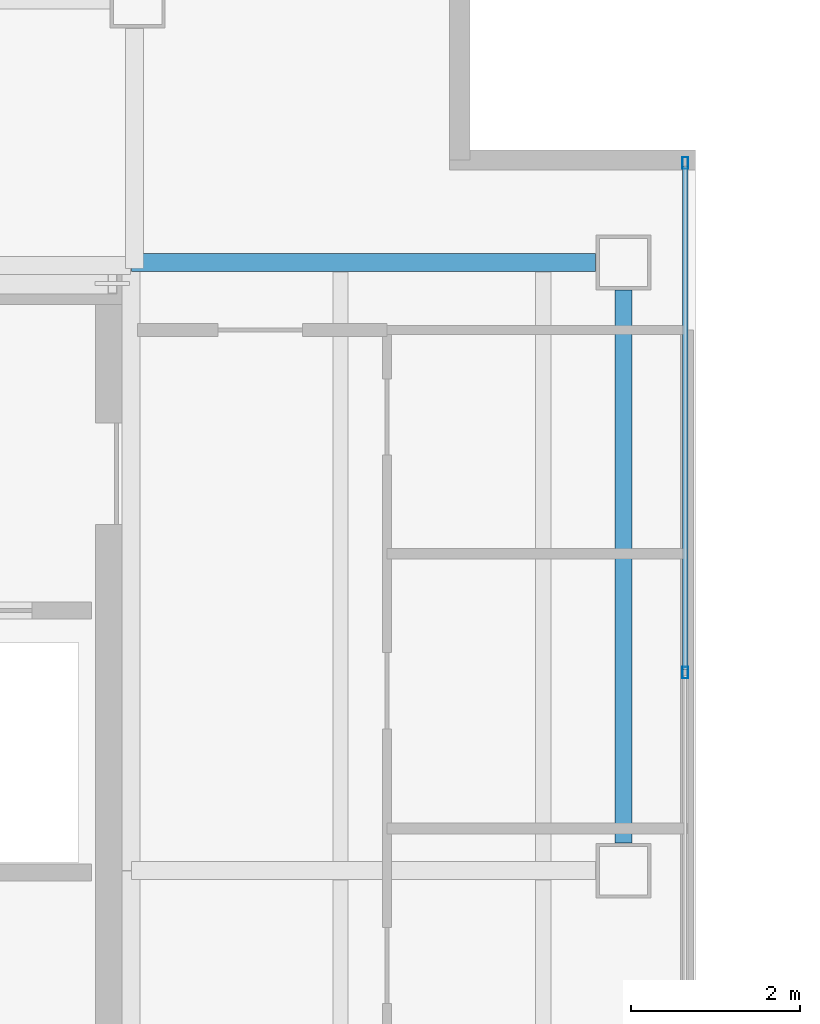
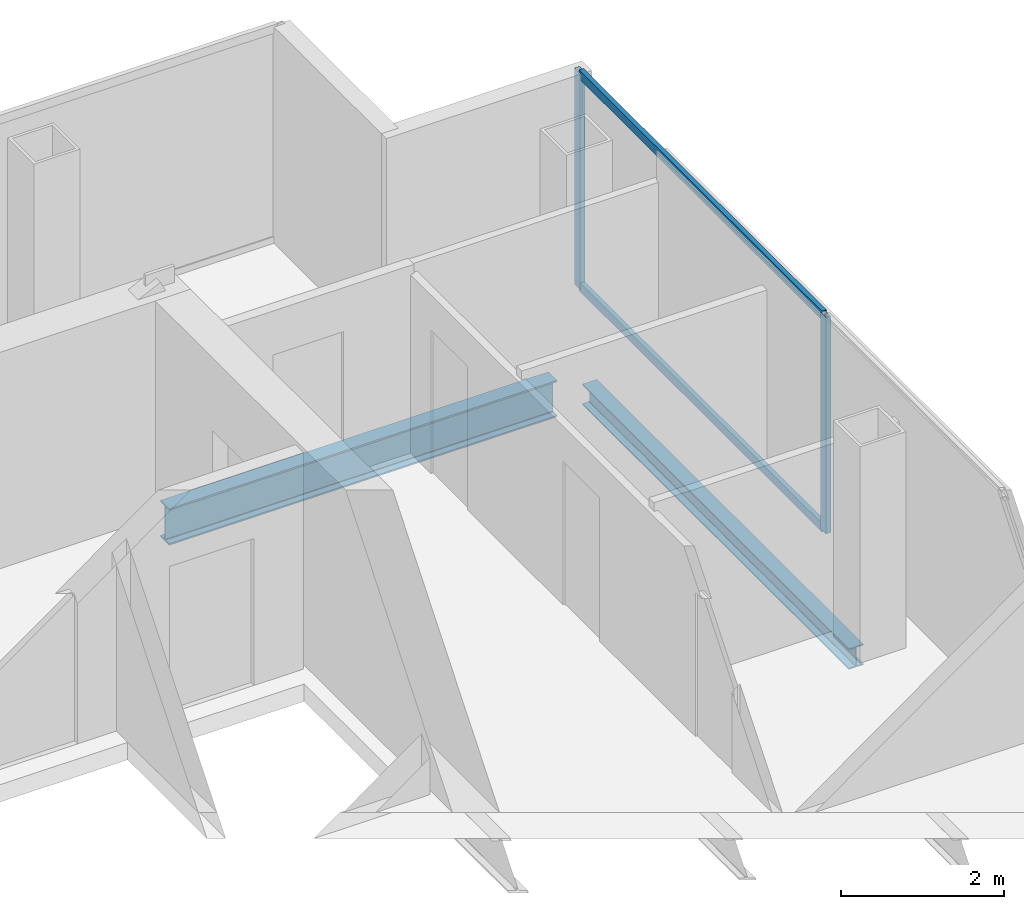
# One storey, part 11 of 23: 4 members, 2 beams, 1 element without a shape of its own.
"""IFC4 building model written with IfcOpenShell, lengths in metres."""

from ifc_helpers import new_model, si_unit, direction, frame, origin, origin_2d, place, context, subcontext, project, spatial, hollow_rectangle, i_section, extrude, material, material_profile, profile_set, type_object, element, aggregate, save


model = new_model("IFC4")

# Units and contexts
model_context = context("Model", 3, precision=1e-05, world=origin(), true_north=direction((0.0, 1.0)))
body_context = subcontext(model_context, "Body", "Model", "MODEL_VIEW")
ifc_project = project(units=[si_unit("LENGTHUNIT", "METRE"), si_unit("AREAUNIT", "SQUARE_METRE"), si_unit("VOLUMEUNIT", "CUBIC_METRE"), si_unit("PLANEANGLEUNIT", "RADIAN"), si_unit("MASSUNIT", "GRAM", prefix="KILO")], contexts=[model_context])

# Site, building, storey
site_placement = place(None, origin())
site = spatial("IfcSite", under=ifc_project, at=site_placement, CompositionType="ELEMENT")
building_placement = place(site_placement, origin())
building = spatial("IfcBuilding", under=site, at=building_placement, Name="Cobrela Telecom Tower", CompositionType="ELEMENT")
storey_placement = place(building_placement, frame((0.0, 0.0, 279.64990234375)))
storey = spatial("IfcBuildingStorey", under=building, at=storey_placement, Name="L73", CompositionType="ELEMENT", Elevation=279.64990234375)

# Beams
ifc_material_1 = material(Name="Steel ASTM A992 Grade 50", Category="steel")
ifc_material_profile_1 = material_profile(ifc_material_1, i_section(OverallWidth=0.212890625, OverallDepth=0.549072265625, WebThickness=0.0146484375, FlangeThickness=0.023681640625, FilletRadius=0.013916015625, at=origin_2d()), Name="W21X93")
ifc_profile_set_1 = profile_set([ifc_material_profile_1], Name="Steel ASTM A992 Grade 50")
beam_type_1 = type_object("IfcBeamType", Name="BM-GIRD-08", PredefinedType="USERDEFINED", material=ifc_profile_set_1)
beam_1_placement = place(storey_placement, frame((14.324951171875, 36.0, -0.534423828125), z_axis=(1.0, 0.0, 0.0), x_axis=(0.0, 1.0, 0.0)))
element("IfcBeam", 1, at=beam_1_placement, inside=storey, type_object=beam_type_1, Name="L73 Primary Girder X18", ObjectType="GIRDER", PredefinedType="USERDEFINED", context=body_context, shape_type="SweptSolid", body=[
    extrude(i_section(OverallWidth=0.212890625, OverallDepth=0.549072265625, WebThickness=0.0146484375, FlangeThickness=0.023681640625, FilletRadius=0.013916015625, at=origin_2d()), origin(), (0.0, 0.0, 1.0), 5.4951171875),
])
ifc_material_profile_2 = material_profile(ifc_material_1, i_section(OverallWidth=0.205078125, OverallDepth=0.31005859375, WebThickness=0.009521484375, FlangeThickness=0.016357421875, FilletRadius=0.010986328125, at=origin_2d()), Name="W12X50")
ifc_profile_set_2 = profile_set([ifc_material_profile_2], Name="Steel ASTM A992 Grade 50")
beam_type_2 = type_object("IfcBeamType", Name="BM-SPAND-07", PredefinedType="SPANDREL", material=ifc_profile_set_2)
beam_2_placement = place(storey_placement, frame((20.14990234375, 29.1298828125, -0.414794921875), z_axis=(0.0, 1.0, 0.0), x_axis=(-1.0, 0.0, 0.0)))
element("IfcBeam", 2, at=beam_2_placement, inside=storey, type_object=beam_type_2, Name="L73 Perimeter Spandrel Y26", PredefinedType="SPANDREL", context=body_context, shape_type="SweptSolid", body=[
    extrude(i_section(OverallWidth=0.205078125, OverallDepth=0.31005859375, WebThickness=0.009521484375, FlangeThickness=0.016357421875, FilletRadius=0.010986328125, at=origin_2d()), origin(), (0.0, 0.0, 1.0), 6.5400390625),
])

# Curtain wall, members
ifc_material_2 = material(Name="Anodized Bronze Aluminium 6063-T6", Category="aluminium")
curtain_wall_type = type_object("IfcCurtainWallType", Name="CW-SYS-OFF-HI", PredefinedType="USERDEFINED", material=ifc_material_2)
curtain_wall_placement = place(storey_placement, origin())
curtain_wall = element("IfcCurtainWall", 3, at=curtain_wall_placement, inside=storey, type_object=curtain_wall_type, Name="L73 Unitised Bronze Curtain Wall 08", ObjectType="UNITISED CURTAIN WALL", PredefinedType="USERDEFINED")
ifc_material_profile_3 = material_profile(ifc_material_2, hollow_rectangle(XDim=0.070068359375, YDim=0.139892578125, WallThickness=0.00390625, at=origin_2d()), Name="ALU 70x140x4")
ifc_profile_set_3 = profile_set([ifc_material_profile_3], Name="Anodized Bronze Aluminium 6063-T6")
member_type_1 = type_object("IfcMemberType", Name="CW-SYS-OFF-HI-MUL", PredefinedType="MULLION", material=ifc_profile_set_3)
member_1_placement = place(storey_placement, frame((20.8798828125, 37.175048828125, 0.0), z_axis=(0.0, 0.0, 1.0), x_axis=(1.0, 0.0, 0.0)))
member_1 = element("IfcMember", 4, at=member_1_placement, type_object=member_type_1, Name="CW-OFF-HI mullion 1", PredefinedType="MULLION", context=body_context, shape_type="SweptSolid", body=[
    extrude(hollow_rectangle(XDim=0.070068359375, YDim=0.139892578125, WallThickness=0.00390625, at=origin_2d()), origin(), (0.0, 0.0, 1.0), 3.239990234375),
])
member_2_placement = place(storey_placement, frame((20.8798828125, 31.14501953125, 0.0), z_axis=(0.0, 0.0, 1.0), x_axis=(1.0, 0.0, 0.0)))
member_2 = element("IfcMember", 5, at=member_2_placement, type_object=member_type_1, Name="CW-OFF-HI mullion 2", PredefinedType="MULLION", context=body_context, shape_type="SweptSolid", body=[
    extrude(hollow_rectangle(XDim=0.070068359375, YDim=0.139892578125, WallThickness=0.00390625, at=origin_2d()), origin(), (0.0, 0.0, 1.0), 3.239990234375),
])
ifc_material_profile_4 = material_profile(ifc_material_2, hollow_rectangle(XDim=0.06494140625, YDim=0.1298828125, WallThickness=0.00390625, at=origin_2d()), Name="ALU 65x130x4")
ifc_profile_set_4 = profile_set([ifc_material_profile_4], Name="Anodized Bronze Aluminium 6063-T6")
member_type_2 = type_object("IfcMemberType", Name="CW-SYS-OFF-HI-TRN", PredefinedType="USERDEFINED", material=ifc_profile_set_4)
member_3_placement = place(storey_placement, frame((20.8798828125, 37.139892578125, 0.03271484375), z_axis=(0.0, -1.0, 0.0), x_axis=(1.0, 0.0, 0.0)))
member_3 = element("IfcMember", 6, at=member_3_placement, type_object=member_type_2, Name="CW-OFF-HI transom 1.1", ObjectType="TRANSOM", PredefinedType="USERDEFINED", context=body_context, shape_type="SweptSolid", body=[
    extrude(hollow_rectangle(XDim=0.06494140625, YDim=0.1298828125, WallThickness=0.00390625, at=origin_2d()), origin(), (0.0, 0.0, 1.0), 5.9599609375),
])
member_4_placement = place(storey_placement, frame((20.8798828125, 37.139892578125, 3.20751953125), z_axis=(0.0, -1.0, 0.0), x_axis=(1.0, 0.0, 0.0)))
member_4 = element("IfcMember", 7, at=member_4_placement, type_object=member_type_2, Name="CW-OFF-HI transom 1.2", ObjectType="TRANSOM", PredefinedType="USERDEFINED", context=body_context, shape_type="SweptSolid", body=[
    extrude(hollow_rectangle(XDim=0.06494140625, YDim=0.1298828125, WallThickness=0.00390625, at=origin_2d()), origin(), (0.0, 0.0, 1.0), 5.9599609375),
])
aggregate(curtain_wall, [member_1, member_2, member_3, member_4])

save(model, "model.ifc")
